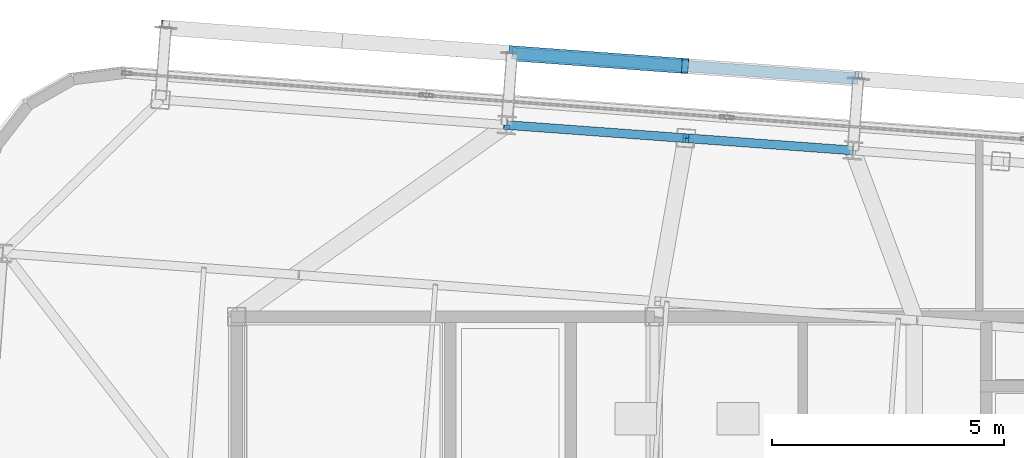
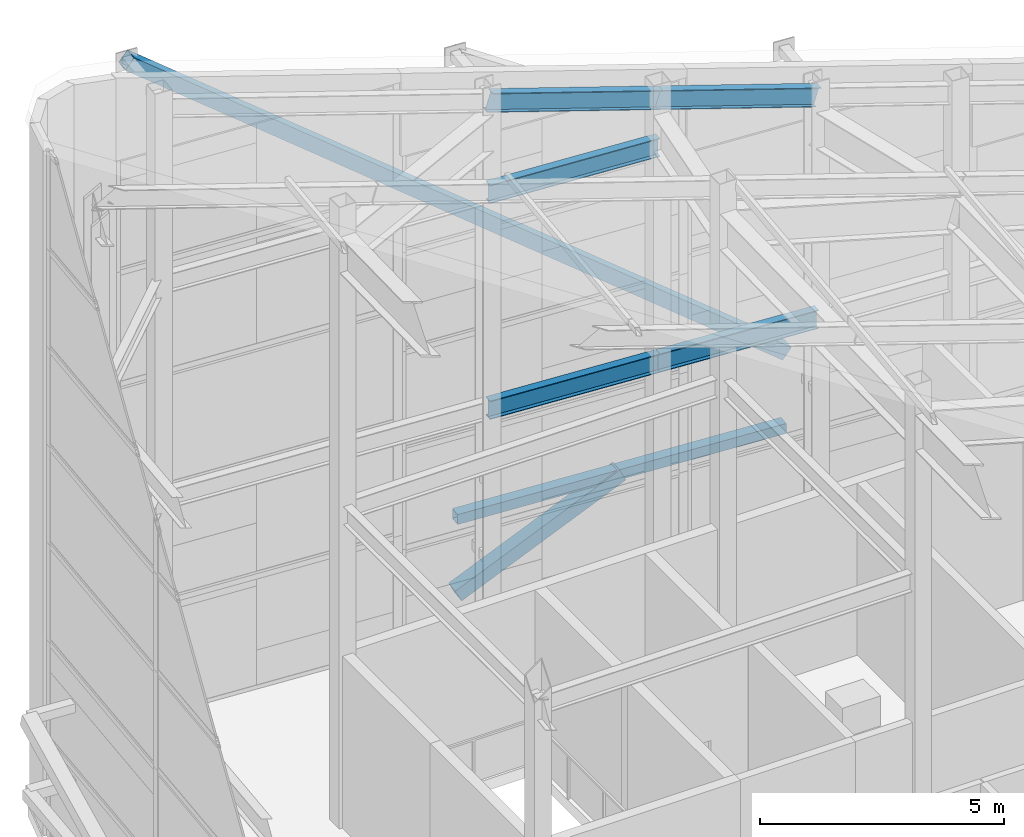
# One storey, part 28 of 56: 5 beams, 3 members.
"""IFC4 building model written with IfcOpenShell, lengths in metres."""

from ifc_helpers import new_model, si_unit, direction, frame, origin, origin_2d, place, context, subcontext, project, spatial, hollow_rectangle, i_section, extrude, source, transform, mapped, material, material_profile, profile_set, type_object, element, save


model = new_model("IFC4")

# Units and contexts
model_context = context("Model", 3, precision=1e-05, world=origin(), true_north=direction((0.0, 1.0)))
body_context = subcontext(model_context, "Body", "Model", "MODEL_VIEW")
ifc_project = project(units=[si_unit("LENGTHUNIT", "METRE"), si_unit("AREAUNIT", "SQUARE_METRE"), si_unit("VOLUMEUNIT", "CUBIC_METRE"), si_unit("PLANEANGLEUNIT", "RADIAN"), si_unit("MASSUNIT", "GRAM", prefix="KILO")], contexts=[model_context])

# Site, building, storey
site_placement = place(None, origin())
site = spatial("IfcSite", under=ifc_project, at=site_placement, CompositionType="ELEMENT")
building_placement = place(site_placement, origin())
building = spatial("IfcBuilding", under=site, at=building_placement, Name="Taldren Reach Tower", CompositionType="ELEMENT")
storey_placement = place(building_placement, frame((0.0, 0.0, 253.050048828125)))
storey = spatial("IfcBuildingStorey", under=building, at=storey_placement, Name="L77", CompositionType="ELEMENT", Elevation=253.050048828125)

# Member
ifc_material_1 = material(Name="Steel Gr 350 (C350L0)", Category="steel")
ifc_material_profile_1 = material_profile(ifc_material_1, hollow_rectangle(XDim=0.25, YDim=0.25, WallThickness=0.010009765625, at=origin_2d()), Name="250x250x10.0SHS")
ifc_profile_set_1 = profile_set([ifc_material_profile_1], Name="Steel Gr 350 (C350L0)")
member_type_1 = type_object("IfcMemberType", Name="MB-POST250", PredefinedType="POST", material=ifc_profile_set_1)
shared_shape_1 = source(origin(), body_context, "Body", "SweptSolid", [
    extrude(hollow_rectangle(XDim=0.25, YDim=0.25, WallThickness=0.010009765625, at=origin_2d()), origin(), (0.0, 0.0, 1.0), 7.47998046875),
])
member_1_placement = place(storey_placement, frame((24.93310546875, 37.677001953125, 2.10986328125), z_axis=(0.997314220642, -0.07324169103, 0.0), x_axis=(0.07324169103, 0.997314220642, 0.0)))
element("IfcMember", 1, at=member_1_placement, inside=storey, type_object=member_type_1, Name="Exoskeleton mid-height ring chord B5-N2 L77", PredefinedType="POST", context=body_context, shape_type="MappedRepresentation", body=[
    mapped(shared_shape_1, transform((0.0, 0.0, 0.0), scale=1.0)),
])

# Beams
ifc_material_2 = material(Name="Steel Gr 350 (350PLUS)", Category="steel")
ifc_material_profile_2 = material_profile(ifc_material_2, i_section(OverallWidth=0.19091796875, OverallDepth=0.4599609375, WebThickness=0.010009765625, FlangeThickness=0.01611328125, at=origin_2d()), Name="460UB82.1")
ifc_profile_set_2 = profile_set([ifc_material_profile_2], Name="Steel Gr 350 (350PLUS)")
beam_type = type_object("IfcBeamType", Name="BM-UB460A", PredefinedType="BEAM", material=ifc_profile_set_2)
shared_shape_2 = source(origin(), body_context, "Body", "SweptSolid", [
    extrude(i_section(OverallWidth=0.19091796875, OverallDepth=0.4599609375, WebThickness=0.010009765625, FlangeThickness=0.01611328125, at=origin_2d()), origin(), (0.0, 0.0, 1.0), 4.02587890625),
])
beam_1_placement = place(storey_placement, frame((24.819580078125, 36.131103515625, 13.491943359375), z_axis=(0.958701824229, -0.070406276041, -0.275560825435), x_axis=(0.073241937451, 0.997314202545, 0.0)))
element("IfcBeam", 2, at=beam_1_placement, inside=storey, type_object=beam_type, Name="Crown sloped perimeter rake girder N2", PredefinedType="BEAM", context=body_context, shape_type="MappedRepresentation", body=[
    mapped(shared_shape_2, transform((0.0, 0.0, 0.0), scale=1.0)),
])
shared_shape_3 = source(origin(), body_context, "Body", "SweptSolid", [
    extrude(i_section(OverallWidth=0.19091796875, OverallDepth=0.4599609375, WebThickness=0.010009765625, FlangeThickness=0.01611328125, at=origin_2d()), origin(), (0.0, 0.0, 1.0), 3.75537109375),
])
beam_2_placement = place(storey_placement, frame((28.67919921875, 35.84765625, 12.382568359375), z_axis=(0.958697530438, -0.070405467245, -0.275575970131), x_axis=(0.073241426864, 0.997314240042, 0.0)))
element("IfcBeam", 3, at=beam_2_placement, inside=storey, type_object=beam_type, Name="Crown sloped perimeter rake girder N3", PredefinedType="BEAM", context=body_context, shape_type="MappedRepresentation", body=[
    mapped(shared_shape_3, transform((0.0, 0.0, 0.0), scale=1.0)),
])
shared_shape_4 = source(origin(), body_context, "Body", "SweptSolid", [
    extrude(i_section(OverallWidth=0.19091796875, OverallDepth=0.4599609375, WebThickness=0.010009765625, FlangeThickness=0.01611328125, at=origin_2d()), origin(), (0.0, 0.0, 1.0), 3.610107421875),
])
beam_3_placement = place(storey_placement, frame((32.279541015625, 35.583251953125, 5.800048828125), z_axis=(-0.997314240042, 0.073241426864, 0.0), x_axis=(-0.073241426864, -0.997314240042, 0.0)))
element("IfcBeam", 4, at=beam_3_placement, inside=storey, type_object=beam_type, Name="Crown perimeter wind girt LO N3-PJN1", PredefinedType="BEAM", context=body_context, shape_type="MappedRepresentation", body=[
    mapped(shared_shape_4, transform((0.0, 0.0, 0.0), scale=1.0)),
])
shared_shape_5 = source(origin(), body_context, "Body", "SweptSolid", [
    extrude(i_section(OverallWidth=0.19091796875, OverallDepth=0.4599609375, WebThickness=0.010009765625, FlangeThickness=0.01611328125, at=origin_2d()), origin(), (0.0, 0.0, 1.0), 3.8701171875),
])
for number, where, z_axis, x_axis, name in (
    (5, (28.67919921875, 35.84765625, 5.800048828125), (-0.997314202545, 0.073241937451, 0.0), (-0.073241937451, -0.997314202545, 0.0), "Crown perimeter wind girt LO PJN1-N2"),
    (6, (28.67919921875, 35.84765625, 11.199951171875), (-0.997314202545, 0.073241937451, 0.0), (-0.073241937451, -0.997314202545, 0.0), "Crown perimeter wind girt HI PJN1-N2"),
):
    element("IfcBeam", number, at=place(storey_placement, frame(where, z_axis=z_axis, x_axis=x_axis)), inside=storey, type_object=beam_type, Name=name, PredefinedType="BEAM", context=body_context, shape_type="MappedRepresentation", body=[
        mapped(shared_shape_5, transform((0.0, 0.0, 0.0), scale=1.0)),
    ])

# Members
ifc_material_3 = material(Name="Steel Gr 450 (C450L0)", Category="steel")
ifc_material_profile_3 = material_profile(ifc_material_3, hollow_rectangle(XDim=0.324951171875, YDim=0.324951171875, WallThickness=0.0126953125, at=origin_2d()), Name="325x325x12.7SHS")
ifc_profile_set_3 = profile_set([ifc_material_profile_3], Name="Steel Gr 450 (C450L0)")
member_type_2 = type_object("IfcMemberType", Name="MB-BR324", PredefinedType="BRACE", material=ifc_profile_set_3)
shared_shape_6 = source(origin(), body_context, "Body", "SweptSolid", [
    extrude(hollow_rectangle(XDim=0.324951171875, YDim=0.324951171875, WallThickness=0.0126953125, at=origin_2d()), origin(), (0.0, 0.0, 1.0), 4.1904296875),
])
member_2_placement = place(storey_placement, frame((24.93310546875, 37.677001953125, 0.219970703125), z_axis=(0.890124363023, -0.065369782387, 0.451004889001), x_axis=(0.07324169103, 0.997314220642, 0.0)))
element("IfcMember", 7, at=member_2_placement, inside=storey, type_object=member_type_2, Name="Exoskeleton Diagrid Brace B5-N2 L77", PredefinedType="BRACE", context=body_context, shape_type="MappedRepresentation", body=[
    mapped(shared_shape_6, transform((0.0, 0.0, 0.0), scale=1.0)),
])
shared_shape_7 = source(origin(), body_context, "Body", "SweptSolid", [
    extrude(hollow_rectangle(XDim=0.324951171875, YDim=0.324951171875, WallThickness=0.0126953125, at=origin_2d()), origin(), (0.0, 0.0, 1.0), 19.06005859375),
])
member_3_placement = place(storey_placement, frame((32.39306640625, 37.129150390625, 4.0), z_axis=(-0.782771873581, 0.0574740619, 0.619649034648), x_axis=(-0.073226650906, -0.997315325059, 0.0)))
element("IfcMember", 8, at=member_3_placement, inside=storey, type_object=member_type_2, Name="Slanted Crown Exoskeleton Diagrid Brace N", PredefinedType="BRACE", context=body_context, shape_type="MappedRepresentation", body=[
    mapped(shared_shape_7, transform((0.0, 0.0, 0.0), scale=1.0)),
])

save(model, "model.ifc")
